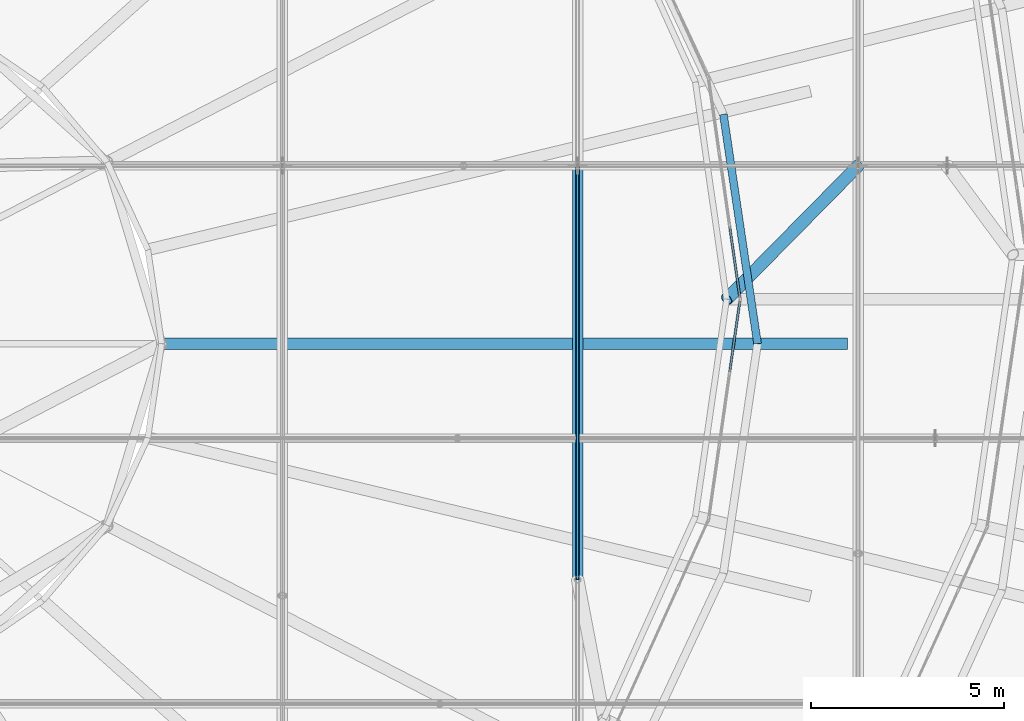
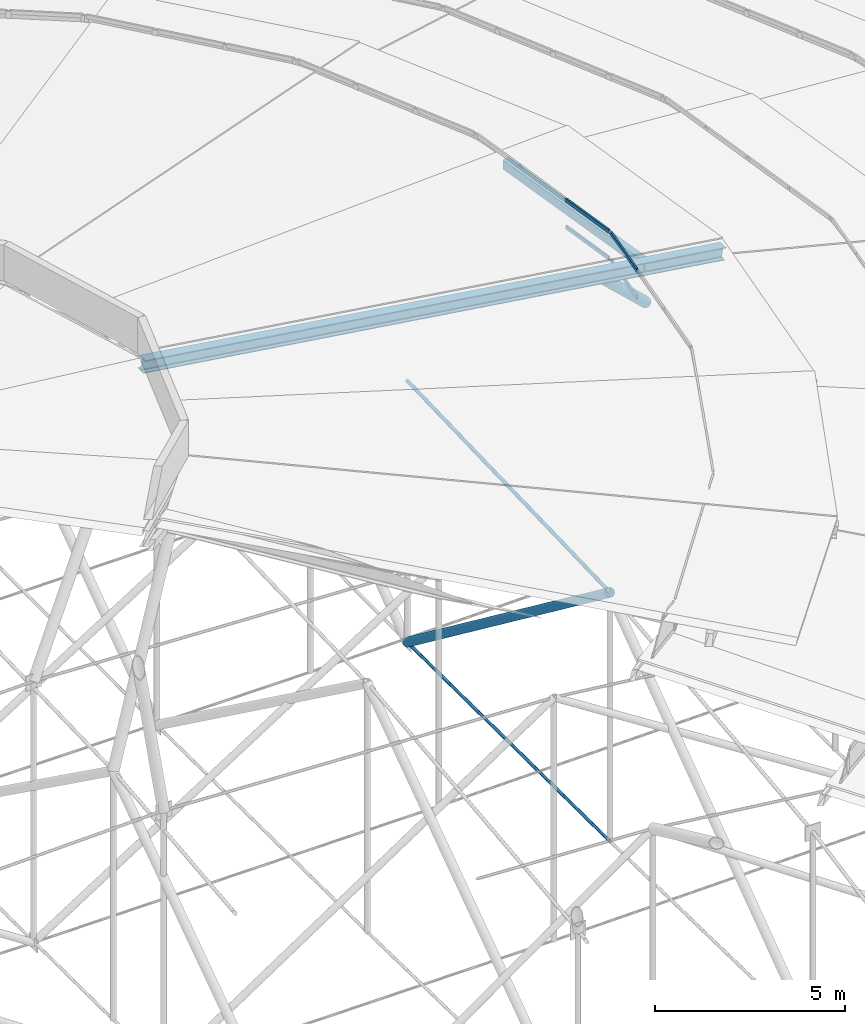
# One storey, part 86 of 173: 10 members, 2 elements without a shape of their own.
"""IFC4 building model written with IfcOpenShell, lengths in metres."""

import ifcopenshell
import ifcopenshell.guid

model = None  # the IFC model being written
_history = None  # IfcOwnerHistory: only IFC2X3 demands one
_inside = {}  # id of a spatial element -> (the spatial element, [elements in it])
_under = {}  # id of a project, library or spatial element -> (it, [spatial elements below it])
_declared = {}  # id of a project -> (the project, [libraries it declares])
_typed = {}  # id of a type object -> (the type object, [elements of that type])
_made_of = {}  # id of a material, layer set ... -> (it, [elements and type objects made of it])


def new_model(schema):
    """Start an empty IFC model of exactly this schema.

    Asked for "IFC4X3", IfcOpenShell would pick the latest addendum, in which some entities
    have other attributes; the version numbers below select the first issue.
    IFC2X3 requires an IfcOwnerHistory on every rooted entity: one is made here for all.
    """
    global model, _history
    if schema == "IFC4X3":
        model = ifcopenshell.file(schema_version=(4, 3, 0, 0))
    else:
        model = ifcopenshell.file(schema=schema)
    _inside.clear()
    _under.clear()
    _declared.clear()
    _typed.clear()
    _made_of.clear()
    _history = None
    if model.schema == "IFC2X3":
        org = make("IfcOrganization", Name="unknown")
        user = make(
            "IfcPersonAndOrganization",
            ThePerson=make("IfcPerson", FamilyName="unknown"),
            TheOrganization=org,
        )
        app = make(
            "IfcApplication",
            ApplicationDeveloper=org,
            Version="unknown",
            ApplicationFullName="unknown",
            ApplicationIdentifier="unknown",
        )
        _history = make(
            "IfcOwnerHistory",
            OwningUser=user,
            OwningApplication=app,
            ChangeAction="ADDED",
            CreationDate=0,
        )
    return model


def make(cls, **values):
    """One entity of the class cls with the attributes given. An attribute that is None is left unset."""
    return model.create_entity(
        cls, **{name: value for name, value in values.items() if value is not None}
    )


def rooted(cls, **values):
    """An entity with a GlobalId (a new one), such as an element, a storey or a relation."""
    return make(cls, GlobalId=ifcopenshell.guid.new(), OwnerHistory=_history, **values)


def si_unit(unit_type, name, prefix=None):
    """IfcSIUnit, for example si_unit("LENGTHUNIT", "METRE", prefix="MILLI")."""
    return make("IfcSIUnit", UnitType=unit_type, Prefix=prefix, Name=name)


def assignment(units):
    """IfcUnitAssignment: the units of a project."""
    return None if units is None else make("IfcUnitAssignment", Units=units)


def point(xyz):
    """IfcCartesianPoint."""
    return None if xyz is None else make("IfcCartesianPoint", Coordinates=xyz)


def direction(xyz):
    """IfcDirection."""
    return None if xyz is None else make("IfcDirection", DirectionRatios=xyz)


def frame(location, z_axis=None, x_axis=None):
    """IfcAxis2Placement3D, a coordinate frame: its origin and axes. An axis left out is left unset."""
    return make(
        "IfcAxis2Placement3D",
        Location=point(location),
        Axis=direction(z_axis),
        RefDirection=direction(x_axis),
    )


def frame_2d(location, x_axis=None):
    """IfcAxis2Placement2D, a coordinate frame in the plane: its origin and x axis."""
    return make(
        "IfcAxis2Placement2D", Location=point(location), RefDirection=direction(x_axis)
    )


def origin():
    """The frame at (0, 0, 0) with its axes left unset."""
    return frame((0.0, 0.0, 0.0))


def origin_2d():
    """The frame at (0, 0) in the plane with its x axis left unset."""
    return frame_2d((0.0, 0.0))


def place(relative_to, where):
    """IfcLocalPlacement: puts the frame where relative to a parent placement (None: the world)."""
    return make(
        "IfcLocalPlacement", PlacementRelTo=relative_to, RelativePlacement=where
    )


def context(
    kind, dimensions, precision=None, world=None, true_north=None, identifier=None
):
    """IfcGeometricRepresentationContext, for example the 3D "Model" context."""
    return make(
        "IfcGeometricRepresentationContext",
        ContextIdentifier=identifier,
        ContextType=kind,
        CoordinateSpaceDimension=dimensions,
        Precision=precision,
        WorldCoordinateSystem=world,
        TrueNorth=true_north,
    )


def subcontext(parent, identifier, kind, view, scale=None):
    """IfcGeometricRepresentationSubContext, for example "Body" below "Model"."""
    return make(
        "IfcGeometricRepresentationSubContext",
        ContextIdentifier=identifier,
        ContextType=kind,
        ParentContext=parent,
        TargetScale=scale,
        TargetView=view,
    )


def project(units=None, contexts=None):
    """IfcProject with its units and contexts."""
    return rooted(
        "IfcProject",
        Name="project",
        RepresentationContexts=contexts,
        UnitsInContext=assignment(units),
    )


def spatial(cls, under=None, at=None, **own):
    """A site, building, storey or space (cls), placed at a placement, below another one or the project."""
    s = rooted(cls, ObjectPlacement=at, **own)
    if under is not None:
        _under.setdefault(under.id(), (under, []))[1].append(s)
    return s


def profile(cls, at=None, kind="AREA", **sizes):
    """A parametric profile (cls). Its sizes go by their IFC names, for example OverallWidth=200.0."""
    return make(cls, ProfileType=kind, Position=at, **sizes)


def rectangle(**sizes):
    """IfcRectangleProfileDef."""
    return profile("IfcRectangleProfileDef", **sizes)


def hollow_rectangle(**sizes):
    """IfcRectangleHollowProfileDef."""
    return profile("IfcRectangleHollowProfileDef", **sizes)


def circle(**sizes):
    """IfcCircleProfileDef."""
    return profile("IfcCircleProfileDef", **sizes)


def hollow_circle(**sizes):
    """IfcCircleHollowProfileDef."""
    return profile("IfcCircleHollowProfileDef", **sizes)


def i_section(**sizes):
    """IfcIShapeProfileDef."""
    return profile("IfcIShapeProfileDef", **sizes)


def extrude(swept, where, along, depth):
    """IfcExtrudedAreaSolid: the profile swept, set in the frame where, extruded along a direction by depth."""
    return make(
        "IfcExtrudedAreaSolid",
        SweptArea=swept,
        Position=where,
        ExtrudedDirection=direction(along),
        Depth=depth,
    )


def shape(context_of_items, identifier, shape_type, items):
    """IfcShapeRepresentation: the items that make up one representation, for example the "Body"."""
    return make(
        "IfcShapeRepresentation",
        ContextOfItems=context_of_items,
        RepresentationIdentifier=identifier,
        RepresentationType=shape_type,
        Items=items,
    )


def material(Name=None, Category=None):
    """IfcMaterial."""
    return make("IfcMaterial", Name=Name, Category=Category)


def material_profile(
    of_material, cross_section, Name=None, Category=None, Priority=None
):
    """IfcMaterialProfile: a cross section and its material."""
    return make(
        "IfcMaterialProfile",
        Name=Name,
        Material=of_material,
        Profile=cross_section,
        Priority=Priority,
        Category=Category,
    )


def profile_set(profiles, Name=None, composite=None):
    """IfcMaterialProfileSet."""
    return make(
        "IfcMaterialProfileSet",
        Name=Name,
        MaterialProfiles=profiles,
        CompositeProfile=composite,
    )


def made_of(thing, what):
    """Note that an element or type object is made of a material, layer set ...; save() writes the relation."""
    if what is not None:
        _made_of.setdefault(what.id(), (what, []))[1].append(thing)
    return thing


def type_object(cls, material=None, **own):
    """A type object (cls), such as IfcWallType, which elements share."""
    return made_of(rooted(cls, **own), material)


def element(
    cls,
    number,
    at=None,
    inside=None,
    cuts=None,
    type_object=None,
    material=None,
    context=None,
    identifier="Body",
    shape_type=None,
    held_by="IfcProductDefinitionShape",
    body=None,
    shapes=None,
    **own,
):
    """One element of the class cls, such as IfcWall. Its Tag is "e" and its number.

    at: its placement. inside: the storey or other place that contains it. cuts: it is an
    opening in that element (IfcRelVoidsElement). A single representation is given by context,
    identifier, shape_type and body (its items); several are given by shapes. held_by: the class
    of the entity that holds the representations. save() writes the other relations.
    """
    e = rooted(cls, Tag="e%d" % number, ObjectPlacement=at, **own)
    if body is not None:
        shapes = [shape(context, identifier, shape_type, body)]
    if shapes is not None:
        e.Representation = make(held_by, Representations=shapes)
    if inside is not None:
        _inside.setdefault(inside.id(), (inside, []))[1].append(e)
    if cuts is not None:
        rooted(
            "IfcRelVoidsElement", RelatingBuildingElement=cuts, RelatedOpeningElement=e
        )
    if type_object is not None:
        _typed.setdefault(type_object.id(), (type_object, []))[1].append(e)
    return made_of(e, material)


def aggregate(whole, parts):
    """IfcRelAggregates: a whole, such as a stair, and the parts it consists of."""
    return rooted("IfcRelAggregates", RelatingObject=whole, RelatedObjects=parts)


def save(model, path):
    """Write the relations noted so far, then the file.

    IfcRelAggregates (storeys below a building ...), IfcRelContainedInSpatialStructure (elements
    in a storey), IfcRelDefinesByType, IfcRelAssociatesMaterial and IfcRelDeclares: one each for
    every whole, place, type object, material and project.
    """
    for whole, parts in _under.values():
        aggregate(whole, parts)
    for where, things in _inside.values():
        rooted(
            "IfcRelContainedInSpatialStructure",
            RelatedElements=things,
            RelatingStructure=where,
        )
    for kind, things in _typed.values():
        rooted("IfcRelDefinesByType", RelatedObjects=things, RelatingType=kind)
    for what, things in _made_of.values():
        rooted("IfcRelAssociatesMaterial", RelatedObjects=things, RelatingMaterial=what)
    for by, libraries in _declared.values():
        rooted("IfcRelDeclares", RelatingContext=by, RelatedDefinitions=libraries)
    model.write(path)


model = new_model("IFC4")

# Units and contexts
model_context = context("Model", 3, precision=1e-05, world=origin(), true_north=direction((0.0, 1.0)))
body_context = subcontext(model_context, "Body", "Model", "MODEL_VIEW")
ifc_project = project(units=[si_unit("LENGTHUNIT", "METRE"), si_unit("AREAUNIT", "SQUARE_METRE"), si_unit("VOLUMEUNIT", "CUBIC_METRE"), si_unit("PLANEANGLEUNIT", "RADIAN"), si_unit("MASSUNIT", "GRAM", prefix="KILO")], contexts=[model_context])

# Site, building, storey
site_placement = place(None, origin())
site = spatial("IfcSite", under=ifc_project, at=site_placement, CompositionType="ELEMENT")
building_placement = place(site_placement, origin())
building = spatial("IfcBuilding", under=site, at=building_placement, Name="Glasvene Arena", CompositionType="ELEMENT")
storey_placement = place(building_placement, frame((0.0, 0.0, 28.800048828125)))
storey = spatial("IfcBuildingStorey", under=building, at=storey_placement, Name="RF", CompositionType="ELEMENT", Elevation=28.800048828125)

# Curtain wall, members
ifc_material_1 = material(Name="Low-emissivity laminated double glazing", Category="glass")
curtain_wall_type = type_object("IfcCurtainWallType", Name="CW-PET4-575x92", PredefinedType="USERDEFINED", material=ifc_material_1)
curtain_wall_1_placement = place(storey_placement, frame((111.64990234375, 69.550048828125, 0.0)))
curtain_wall_1 = element("IfcCurtainWall", 1, at=curtain_wall_1_placement, inside=storey, type_object=curtain_wall_type, Name="Petal ring 4-5 clerestory curtain wall 01", ObjectType="CURTAIN WALL", PredefinedType="USERDEFINED")
ifc_material_2 = material(Name="Anodised architectural aluminium", Category="aluminium")
ifc_material_profile_1 = material_profile(ifc_material_2, rectangle(XDim=0.050048828125, YDim=0.1201171875, at=origin_2d()), Name="ALU TRANSOM 50x120")
ifc_profile_set_1 = profile_set([ifc_material_profile_1], Name="Anodised architectural aluminium")
member_type_1 = type_object("IfcMemberType", Name="CW-TRN-120", PredefinedType="USERDEFINED", material=ifc_profile_set_1)
member_1_placement = place(storey_placement, frame((111.642822265625, 69.599609375, 10.554931640625), z_axis=(-0.14218191486, 0.989840544273, 0.0), x_axis=(-0.989840544273, -0.14218191486, 0.0)))
member_1 = element("IfcMember", 2, at=member_1_placement, type_object=member_type_1, Name="CW-099 transom 1.1", ObjectType="TRANSOM", PredefinedType="USERDEFINED", context=body_context, shape_type="SweptSolid", body=[
    extrude(rectangle(XDim=0.050048828125, YDim=0.1201171875, at=origin_2d()), origin(), (0.0, 0.0, 1.0), 1.842529296875),
])
member_2_placement = place(storey_placement, frame((111.642822265625, 69.599609375, 11.4208984375), z_axis=(-0.14218191486, 0.989840544273, 0.0), x_axis=(-0.989840544273, -0.14218191486, 0.0)))
member_2 = element("IfcMember", 3, at=member_2_placement, type_object=member_type_1, Name="CW-099 transom 1.2", ObjectType="TRANSOM", PredefinedType="USERDEFINED", context=body_context, shape_type="SweptSolid", body=[
    extrude(rectangle(XDim=0.050048828125, YDim=0.1201171875, at=origin_2d()), origin(), (0.0, 0.0, 1.0), 1.842529296875),
])
aggregate(curtain_wall_1, [member_1, member_2])

curtain_wall_2_placement = place(storey_placement, frame((110.832275390625, 63.85595703125, 0.0)))
curtain_wall_2 = element("IfcCurtainWall", 4, at=curtain_wall_2_placement, inside=storey, type_object=curtain_wall_type, Name="Petal ring 4-5 clerestory curtain wall 24", ObjectType="CURTAIN WALL", PredefinedType="USERDEFINED")
member_3_placement = place(storey_placement, frame((111.380859375, 67.6767578125, 10.554931640625), z_axis=(0.14218191486, 0.989840544273, 0.0), x_axis=(-0.989840544273, 0.14218191486, 0.0)))
member_3 = element("IfcMember", 5, at=member_3_placement, type_object=member_type_1, Name="CW-099 transom 3.1", ObjectType="TRANSOM", PredefinedType="USERDEFINED", context=body_context, shape_type="SweptSolid", body=[
    extrude(rectangle(XDim=0.050048828125, YDim=0.1201171875, at=origin_2d()), origin(), (0.0, 0.0, 1.0), 1.842529296875),
])
member_4_placement = place(storey_placement, frame((111.380859375, 67.6767578125, 11.4208984375), z_axis=(0.14218191486, 0.989840544273, 0.0), x_axis=(-0.989840544273, 0.14218191486, 0.0)))
member_4 = element("IfcMember", 6, at=member_4_placement, type_object=member_type_1, Name="CW-099 transom 3.2", ObjectType="TRANSOM", PredefinedType="USERDEFINED", context=body_context, shape_type="SweptSolid", body=[
    extrude(rectangle(XDim=0.050048828125, YDim=0.1201171875, at=origin_2d()), origin(), (0.0, 0.0, 1.0), 1.842529296875),
])
aggregate(curtain_wall_2, [member_3, member_4])

# Members
ifc_material_3 = material(Name="High-strength steel spiral strand S460", Category="steel")
ifc_material_profile_2 = material_profile(ifc_material_3, circle(Radius=0.052490234375, at=origin_2d()), Name="LCSS D105")
ifc_profile_set_2 = profile_set([ifc_material_profile_2], Name="High-strength steel spiral strand S460")
member_type_2 = type_object("IfcMemberType", Name="MB-CABLE-105", PredefinedType="USERDEFINED", material=ifc_profile_set_2)
member_5_placement = place(storey_placement, frame((107.45068359375, 62.300537109375, 5.6904296875), z_axis=(0.0, 0.999525883852, 0.030789730592), x_axis=(-1.0, 0.0, 0.0)))
element("IfcMember", 7, at=member_5_placement, inside=storey, type_object=member_type_2, Name="Upper lens roof cable NS03-04", ObjectType="ROOF CABLE", PredefinedType="USERDEFINED", context=body_context, shape_type="SweptSolid", body=[
    extrude(circle(Radius=0.052490234375, at=origin_2d()), origin(), (0.0, 0.0, 1.0), 10.70458984375),
])
ifc_material_profile_3 = material_profile(ifc_material_3, circle(Radius=0.044921875, at=origin_2d()), Name="LCSS D90")
ifc_profile_set_3 = profile_set([ifc_material_profile_3], Name="High-strength steel spiral strand S460")
member_type_3 = type_object("IfcMemberType", Name="MB-CABLE-90", PredefinedType="USERDEFINED", material=ifc_profile_set_3)
member_6_placement = place(storey_placement, frame((107.45068359375, 62.300537109375, -2.328125), z_axis=(0.0, 0.999977345451, -0.006731165246), x_axis=(-1.0, 0.0, 0.0)))
element("IfcMember", 8, at=member_6_placement, inside=storey, type_object=member_type_3, Name="Lower stabilization roof cable NS03-04", ObjectType="ROOF CABLE", PredefinedType="USERDEFINED", context=body_context, shape_type="SweptSolid", body=[
    extrude(circle(Radius=0.044921875, at=origin_2d()), origin(), (0.0, 0.0, 1.0), 10.69970703125),
])
ifc_material_4 = material(Name="Steel S355J2", Category="steel")
ifc_material_profile_4 = material_profile(ifc_material_4, i_section(OverallWidth=0.300048828125, OverallDepth=0.39990234375, WebThickness=0.013427734375, FlangeThickness=0.02392578125, FilletRadius=0.027099609375, at=origin_2d()), Name="HEB 400")
ifc_profile_set_4 = profile_set([ifc_material_profile_4], Name="Steel S355J2")
member_type_4 = type_object("IfcMemberType", Name="MB-CHORD-HEB400", PredefinedType="CHORD", material=ifc_profile_set_4)
member_7_placement = place(storey_placement, frame((114.39990234375, 68.39990234375, 10.550048828125), z_axis=(-0.989782523577, 0.0, 0.142585258779), x_axis=(0.0, -1.0, 0.0)))
element("IfcMember", 9, at=member_7_placement, inside=storey, type_object=member_type_4, Name="Petal ring 5 radial rib 01", PredefinedType="CHORD", context=body_context, shape_type="SweptSolid", body=[
    extrude(i_section(OverallWidth=0.300048828125, OverallDepth=0.39990234375, WebThickness=0.013427734375, FlangeThickness=0.02392578125, FilletRadius=0.027099609375, at=origin_2d()), origin(), (0.0, 0.0, 1.0), 17.882568359375),
])
ifc_material_profile_5 = material_profile(ifc_material_4, hollow_circle(Radius=0.161865234375, WallThickness=0.01611328125, at=origin_2d()), Name="CHS 323.9x16.0")
ifc_profile_set_5 = profile_set([ifc_material_profile_5], Name="Steel S355J2")
member_type_5 = type_object("IfcMemberType", Name="MB-POST-CHS324", PredefinedType="BRACE", material=ifc_profile_set_5)
member_8_placement = place(storey_placement, frame((114.699462890625, 73.0, 6.02001953125), z_axis=(-0.53505748177, -0.543011869786, 0.647187453891), x_axis=(0.712304683594, -0.701870385278, 0.0)))
element("IfcMember", 10, at=member_8_placement, inside=storey, type_object=member_type_5, Name="Petal ring 4 ridge support post 01", PredefinedType="BRACE", context=body_context, shape_type="SweptSolid", body=[
    extrude(hollow_circle(Radius=0.161865234375, WallThickness=0.01611328125, at=origin_2d()), origin(), (0.0, 0.0, 1.0), 6.353271484375),
])
ifc_material_profile_6 = material_profile(ifc_material_4, hollow_rectangle(XDim=0.199951171875, YDim=0.300048828125, WallThickness=0.012451171875, at=origin_2d()), Name="RHS 300x200x12.5")
ifc_profile_set_6 = profile_set([ifc_material_profile_6], Name="Steel S355J2")
member_type_6 = type_object("IfcMemberType", Name="MB-PURLIN-RHS300", PredefinedType="PURLIN", material=ifc_profile_set_6)
member_9_placement = place(storey_placement, frame((112.10009765625, 68.39990234375, 10.9013671875), z_axis=(-0.147282469644, 0.989094471795, 0.0), x_axis=(-0.989094471795, -0.147282469644, 0.0)))
element("IfcMember", 11, at=member_9_placement, inside=storey, type_object=member_type_6, Name="Petal ring 5 outer purlin 01", PredefinedType="PURLIN", context=body_context, shape_type="SweptSolid", body=[
    extrude(hollow_rectangle(XDim=0.199951171875, YDim=0.300048828125, WallThickness=0.012451171875, at=origin_2d()), origin(), (0.0, 0.0, 1.0), 5.992431640625),
])
ifc_material_profile_7 = material_profile(ifc_material_4, hollow_circle(Radius=0.136474609375, WallThickness=0.012451171875, at=origin_2d()), Name="CHS 273.0x12.5")
ifc_profile_set_7 = profile_set([ifc_material_profile_7], Name="Steel S355J2")
member_type_7 = type_object("IfcMemberType", Name="MB-WEB-CHS273", PredefinedType="BRACE", material=ifc_profile_set_7)
member_10_placement = place(storey_placement, frame((107.45068359375, 62.300537109375, 5.6904296875), z_axis=(0.0, 0.797632849678, -0.60314329733), x_axis=(-1.0, 0.0, 0.0)))
element("IfcMember", 12, at=member_10_placement, inside=storey, type_object=member_type_7, Name="Cable-truss diagonal web strut NS03-04", PredefinedType="BRACE", context=body_context, shape_type="SweptSolid", body=[
    extrude(hollow_circle(Radius=0.136474609375, WallThickness=0.012451171875, at=origin_2d()), origin(), (0.0, 0.0, 1.0), 13.4140625),
])

save(model, "model.ifc")
